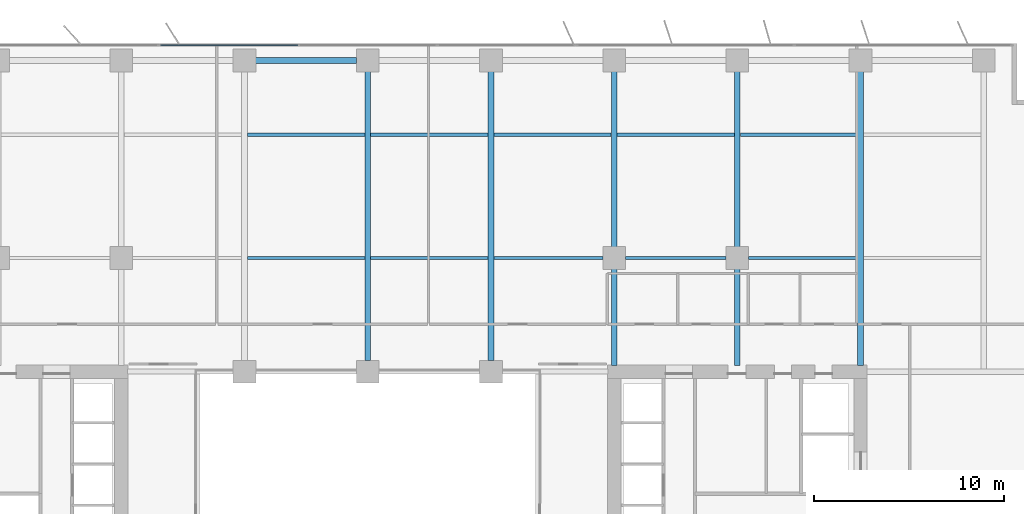
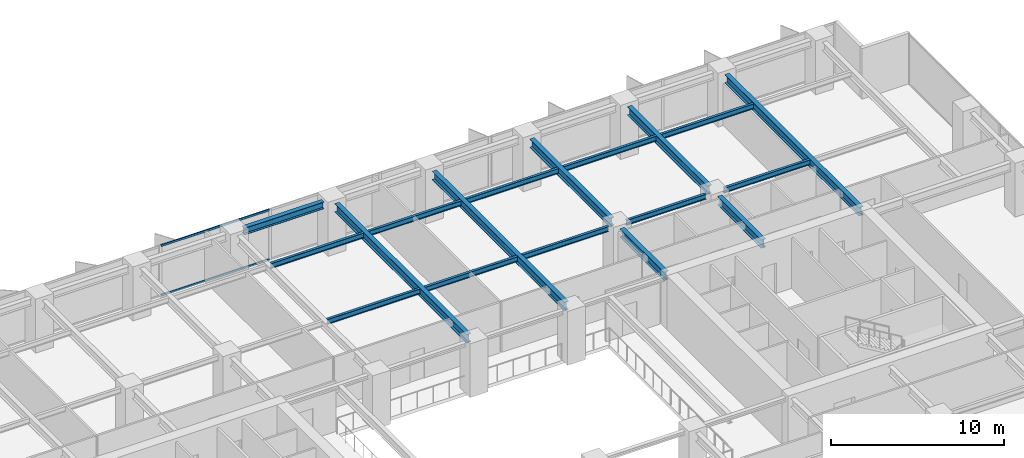
# One storey, part 8 of 20: 18 beams, 2 members, 1 element without a shape of its own.
"""IFC4 building model written with IfcOpenShell, lengths in metres."""

from ifc_helpers import new_model, si_unit, direction, frame, origin, origin_2d, place, context, subcontext, project, spatial, rectangle, i_section, extrude, material, layer, layer_set, material_profile, profile_set, type_object, element, aggregate, save


model = new_model("IFC4")

# Units and contexts
model_context = context("Model", 3, precision=1e-05, world=origin(), true_north=direction((0.0, 1.0)))
body_context = subcontext(model_context, "Body", "Model", "MODEL_VIEW")
ifc_project = project(units=[si_unit("LENGTHUNIT", "METRE"), si_unit("AREAUNIT", "SQUARE_METRE"), si_unit("VOLUMEUNIT", "CUBIC_METRE"), si_unit("PLANEANGLEUNIT", "RADIAN"), si_unit("MASSUNIT", "GRAM", prefix="KILO")], contexts=[model_context])

# Site, building, storey
site_placement = place(None, origin())
site = spatial("IfcSite", under=ifc_project, at=site_placement, CompositionType="ELEMENT")
building_placement = place(site_placement, origin())
building = spatial("IfcBuilding", under=site, at=building_placement, Name="Putna Gate Headquarters", CompositionType="ELEMENT")
storey_placement = place(building_placement, frame((0.0, 0.0, 89.800048828125)))
storey = spatial("IfcBuildingStorey", under=building, at=storey_placement, Name="L21", CompositionType="ELEMENT", Elevation=89.800048828125)

# Beams
ifc_material_1 = material(Name="Steel S355J2", Category="steel")
ifc_material_profile_1 = material_profile(ifc_material_1, i_section(OverallWidth=0.300048828125, OverallDepth=0.60009765625, WebThickness=0.015380859375, FlangeThickness=0.030029296875, at=origin_2d()), Name="Steel S355J2")
ifc_profile_set_1 = profile_set([ifc_material_profile_1], Name="Steel S355J2")
beam_type_1 = type_object("IfcBeamType", Name="BM-GIRD-Z2-HEB600", PredefinedType="USERDEFINED", material=ifc_profile_set_1)
for number, where, z_axis, x_axis, name in (
    (1, (39.0, 33.587890625, 3.264892578125), (0.0, 1.0, 0.0), (-1.0, 0.0, 0.0), "L21 North Primary Girder X39"),
    (2, (45.5, 33.587890625, 3.264892578125), (0.0, 1.0, 0.0), (-1.0, 0.0, 0.0), "L21 North Primary Girder X45"),
):
    element("IfcBeam", number, at=place(storey_placement, frame(where, z_axis=z_axis, x_axis=x_axis)), inside=storey, type_object=beam_type_1, Name=name, ObjectType="GIRDER", PredefinedType="USERDEFINED", context=body_context, shape_type="SweptSolid", body=[
        extrude(i_section(OverallWidth=0.300048828125, OverallDepth=0.60009765625, WebThickness=0.015380859375, FlangeThickness=0.030029296875, at=origin_2d()), origin(), (0.0, 0.0, 1.0), 15.244140625),
    ])
beam_1_placement = place(storey_placement, frame((52.0, 33.3349609375, 3.264892578125), z_axis=(0.0, 1.0, 0.0), x_axis=(-1.0, 0.0, 0.0)))
element("IfcBeam", 3, at=beam_1_placement, inside=storey, type_object=beam_type_1, Name="L21 North Primary Girder X52-1", ObjectType="GIRDER", PredefinedType="USERDEFINED", context=body_context, shape_type="SweptSolid", body=[
    extrude(i_section(OverallWidth=0.300048828125, OverallDepth=0.60009765625, WebThickness=0.015380859375, FlangeThickness=0.030029296875, at=origin_2d()), origin(), (0.0, 0.0, 1.0), 5.0771484375),
])
beam_2_placement = place(storey_placement, frame((52.0, 39.587890625, 3.264892578125), z_axis=(0.0, 1.0, 0.0), x_axis=(-1.0, 0.0, 0.0)))
element("IfcBeam", 4, at=beam_2_placement, inside=storey, type_object=beam_type_1, Name="L21 North Primary Girder X52-2", ObjectType="GIRDER", PredefinedType="USERDEFINED", context=body_context, shape_type="SweptSolid", body=[
    extrude(i_section(OverallWidth=0.300048828125, OverallDepth=0.60009765625, WebThickness=0.015380859375, FlangeThickness=0.030029296875, at=origin_2d()), origin(), (0.0, 0.0, 1.0), 9.244140625),
])
beam_3_placement = place(storey_placement, frame((58.5, 33.3349609375, 3.264892578125), z_axis=(0.0, 1.0, 0.0), x_axis=(-1.0, 0.0, 0.0)))
element("IfcBeam", 5, at=beam_3_placement, inside=storey, type_object=beam_type_1, Name="L21 North Primary Girder X58-1", ObjectType="GIRDER", PredefinedType="USERDEFINED", context=body_context, shape_type="SweptSolid", body=[
    extrude(i_section(OverallWidth=0.300048828125, OverallDepth=0.60009765625, WebThickness=0.015380859375, FlangeThickness=0.030029296875, at=origin_2d()), origin(), (0.0, 0.0, 1.0), 5.0771484375),
])
beam_4_placement = place(storey_placement, frame((58.5, 39.587890625, 3.264892578125), z_axis=(0.0, 1.0, 0.0), x_axis=(-1.0, 0.0, 0.0)))
element("IfcBeam", 6, at=beam_4_placement, inside=storey, type_object=beam_type_1, Name="L21 North Primary Girder X58-2", ObjectType="GIRDER", PredefinedType="USERDEFINED", context=body_context, shape_type="SweptSolid", body=[
    extrude(i_section(OverallWidth=0.300048828125, OverallDepth=0.60009765625, WebThickness=0.015380859375, FlangeThickness=0.030029296875, at=origin_2d()), origin(), (0.0, 0.0, 1.0), 9.244140625),
])
beam_5_placement = place(storey_placement, frame((65.0, 33.3349609375, 3.264892578125), z_axis=(0.0, 1.0, 0.0), x_axis=(-1.0, 0.0, 0.0)))
element("IfcBeam", 7, at=beam_5_placement, inside=storey, type_object=beam_type_1, Name="L21 North Primary Girder X65", ObjectType="GIRDER", PredefinedType="USERDEFINED", context=body_context, shape_type="SweptSolid", body=[
    extrude(i_section(OverallWidth=0.300048828125, OverallDepth=0.60009765625, WebThickness=0.015380859375, FlangeThickness=0.030029296875, at=origin_2d()), origin(), (0.0, 0.0, 1.0), 15.4970703125),
])
ifc_material_profile_2 = material_profile(ifc_material_1, i_section(OverallWidth=0.169921875, OverallDepth=0.360107421875, WebThickness=0.008056640625, FlangeThickness=0.0126953125, at=origin_2d()), Name="Steel S355J2")
ifc_profile_set_2 = profile_set([ifc_material_profile_2], Name="Steel S355J2")
beam_type_2 = type_object("IfcBeamType", Name="BM-SEC-Z2-IPE360", PredefinedType="BEAM", material=ifc_profile_set_2)
for number, where, z_axis, x_axis, name in (
    (8, (32.654052734375, 39.0, 3.385009765625), (1.0, 0.0, 0.0), (0.0, 1.0, 0.0), "L21 North Secondary Beam 5"),
    (9, (32.654052734375, 45.5, 3.385009765625), (1.0, 0.0, 0.0), (0.0, 1.0, 0.0), "L21 North Secondary Beam 5"),
    (10, (39.154052734375, 39.0, 3.385009765625), (1.0, 0.0, 0.0), (0.0, 1.0, 0.0), "L21 North Secondary Beam 6"),
    (11, (39.154052734375, 45.5, 3.385009765625), (1.0, 0.0, 0.0), (0.0, 1.0, 0.0), "L21 North Secondary Beam 6"),
):
    element("IfcBeam", number, at=place(storey_placement, frame(where, z_axis=z_axis, x_axis=x_axis)), inside=storey, type_object=beam_type_2, Name=name, PredefinedType="BEAM", context=body_context, shape_type="SweptSolid", body=[
        extrude(i_section(OverallWidth=0.169921875, OverallDepth=0.360107421875, WebThickness=0.008056640625, FlangeThickness=0.0126953125, at=origin_2d()), origin(), (0.0, 0.0, 1.0), 6.19189453125),
    ])
beam_6_placement = place(storey_placement, frame((45.654052734375, 39.0, 3.385009765625), z_axis=(1.0, 0.0, 0.0), x_axis=(0.0, 1.0, 0.0)))
element("IfcBeam", 12, at=beam_6_placement, inside=storey, type_object=beam_type_2, Name="L21 North Secondary Beam 7", PredefinedType="BEAM", context=body_context, shape_type="SweptSolid", body=[
    extrude(i_section(OverallWidth=0.169921875, OverallDepth=0.360107421875, WebThickness=0.008056640625, FlangeThickness=0.0126953125, at=origin_2d()), origin(), (0.0, 0.0, 1.0), 5.758056640625),
])
beam_7_placement = place(storey_placement, frame((45.654052734375, 45.5, 3.385009765625), z_axis=(1.0, 0.0, 0.0), x_axis=(0.0, 1.0, 0.0)))
element("IfcBeam", 13, at=beam_7_placement, inside=storey, type_object=beam_type_2, Name="L21 North Secondary Beam 7", PredefinedType="BEAM", context=body_context, shape_type="SweptSolid", body=[
    extrude(i_section(OverallWidth=0.169921875, OverallDepth=0.360107421875, WebThickness=0.008056640625, FlangeThickness=0.0126953125, at=origin_2d()), origin(), (0.0, 0.0, 1.0), 6.19189453125),
])
beam_8_placement = place(storey_placement, frame((52.587890625, 39.0, 3.385009765625), z_axis=(1.0, 0.0, 0.0), x_axis=(0.0, 1.0, 0.0)))
element("IfcBeam", 14, at=beam_8_placement, inside=storey, type_object=beam_type_2, Name="L21 North Secondary Beam 8", PredefinedType="BEAM", context=body_context, shape_type="SweptSolid", body=[
    extrude(i_section(OverallWidth=0.169921875, OverallDepth=0.360107421875, WebThickness=0.008056640625, FlangeThickness=0.0126953125, at=origin_2d()), origin(), (0.0, 0.0, 1.0), 5.32421875),
])
beam_9_placement = place(storey_placement, frame((52.154052734375, 45.5, 3.385009765625), z_axis=(1.0, 0.0, 0.0), x_axis=(0.0, 1.0, 0.0)))
element("IfcBeam", 15, at=beam_9_placement, inside=storey, type_object=beam_type_2, Name="L21 North Secondary Beam 8", PredefinedType="BEAM", context=body_context, shape_type="SweptSolid", body=[
    extrude(i_section(OverallWidth=0.169921875, OverallDepth=0.360107421875, WebThickness=0.008056640625, FlangeThickness=0.0126953125, at=origin_2d()), origin(), (0.0, 0.0, 1.0), 6.19189453125),
])
beam_10_placement = place(storey_placement, frame((59.087890625, 39.0, 3.385009765625), z_axis=(1.0, 0.0, 0.0), x_axis=(0.0, 1.0, 0.0)))
element("IfcBeam", 16, at=beam_10_placement, inside=storey, type_object=beam_type_2, Name="L21 North Secondary Beam 9", PredefinedType="BEAM", context=body_context, shape_type="SweptSolid", body=[
    extrude(i_section(OverallWidth=0.169921875, OverallDepth=0.360107421875, WebThickness=0.008056640625, FlangeThickness=0.0126953125, at=origin_2d()), origin(), (0.0, 0.0, 1.0), 5.758056640625),
])
beam_11_placement = place(storey_placement, frame((58.654052734375, 45.5, 3.385009765625), z_axis=(1.0, 0.0, 0.0), x_axis=(0.0, 1.0, 0.0)))
element("IfcBeam", 17, at=beam_11_placement, inside=storey, type_object=beam_type_2, Name="L21 North Secondary Beam 9", PredefinedType="BEAM", context=body_context, shape_type="SweptSolid", body=[
    extrude(i_section(OverallWidth=0.169921875, OverallDepth=0.360107421875, WebThickness=0.008056640625, FlangeThickness=0.0126953125, at=origin_2d()), origin(), (0.0, 0.0, 1.0), 6.19189453125),
])
ifc_material_profile_3 = material_profile(ifc_material_1, i_section(OverallWidth=0.300048828125, OverallDepth=0.489990234375, WebThickness=0.011962890625, FlangeThickness=0.02294921875, at=origin_2d()), Name="Steel S355J2")
ifc_profile_set_3 = profile_set([ifc_material_profile_3], Name="Steel S355J2")
beam_type_3 = type_object("IfcBeamType", Name="BM-SPAN-Z2-HEA500", PredefinedType="SPANDREL", material=ifc_profile_set_3)
beam_12_placement = place(storey_placement, frame((33.087890625, 49.419921875, 3.320068359375), z_axis=(1.0, 0.0, 0.0), x_axis=(0.0, 1.0, 0.0)))
element("IfcBeam", 18, at=beam_12_placement, inside=storey, type_object=beam_type_3, Name="L21 N Perimeter Spandrel 5", PredefinedType="SPANDREL", context=body_context, shape_type="SweptSolid", body=[
    extrude(i_section(OverallWidth=0.300048828125, OverallDepth=0.489990234375, WebThickness=0.011962890625, FlangeThickness=0.02294921875, at=origin_2d()), origin(), (0.0, 0.0, 1.0), 5.32421875),
])

# Curtain wall, members
ifc_material_2 = material(Name="Anodised bronze aluminium curtain wall", Category="aluminium")
ifc_layer = layer(ifc_material_2, 0.179931640625)
ifc_layer_set = layer_set([ifc_layer], Name="Anodised bronze aluminium curtain wall")
curtain_wall_type = type_object("IfcCurtainWallType", Name="CW-SYS-ATR", PredefinedType="USERDEFINED", material=ifc_layer_set)
curtain_wall_placement = place(storey_placement, origin())
curtain_wall = element("IfcCurtainWall", 19, at=curtain_wall_placement, inside=storey, type_object=curtain_wall_type, Name="L21 North Atrium Clear Glazing", ObjectType="ATRIUM GLAZING", PredefinedType="USERDEFINED")
ifc_material_3 = material(Name="Anodised bronze aluminium EN AW-6060", Category="aluminium")
ifc_material_profile_4 = material_profile(ifc_material_3, rectangle(XDim=0.070068359375, YDim=0.139892578125, at=origin_2d()), Name="Anodised bronze aluminium EN AW-6060")
ifc_profile_set_4 = profile_set([ifc_material_profile_4], Name="Anodised bronze aluminium EN AW-6060")
member_type = type_object("IfcMemberType", Name="TRAN-CWT-AT", PredefinedType="USERDEFINED", material=ifc_profile_set_4)
member_1_placement = place(storey_placement, frame((28.070068359375, 50.219970703125, 0.034912109375), z_axis=(1.0, 0.0, 0.0), x_axis=(0.0, 1.0, 0.0)))
member_1 = element("IfcMember", 20, at=member_1_placement, type_object=member_type, Name="CWS-AT transom 1.1", ObjectType="TRANSOM", PredefinedType="USERDEFINED", context=body_context, shape_type="SweptSolid", body=[
    extrude(rectangle(XDim=0.070068359375, YDim=0.139892578125, at=origin_2d()), origin(), (0.0, 0.0, 1.0), 7.228271484375),
])
member_2_placement = place(storey_placement, frame((28.070068359375, 50.219970703125, 3.530029296875), z_axis=(1.0, 0.0, 0.0), x_axis=(0.0, 1.0, 0.0)))
member_2 = element("IfcMember", 21, at=member_2_placement, type_object=member_type, Name="CWS-AT transom 1.2", ObjectType="TRANSOM", PredefinedType="USERDEFINED", context=body_context, shape_type="SweptSolid", body=[
    extrude(rectangle(XDim=0.070068359375, YDim=0.139892578125, at=origin_2d()), origin(), (0.0, 0.0, 1.0), 7.228271484375),
])
aggregate(curtain_wall, [member_1, member_2])

save(model, "model.ifc")
